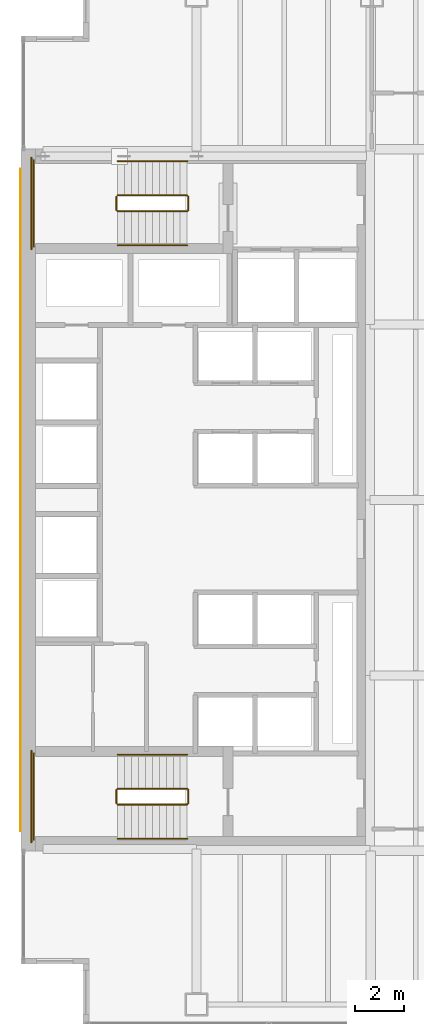
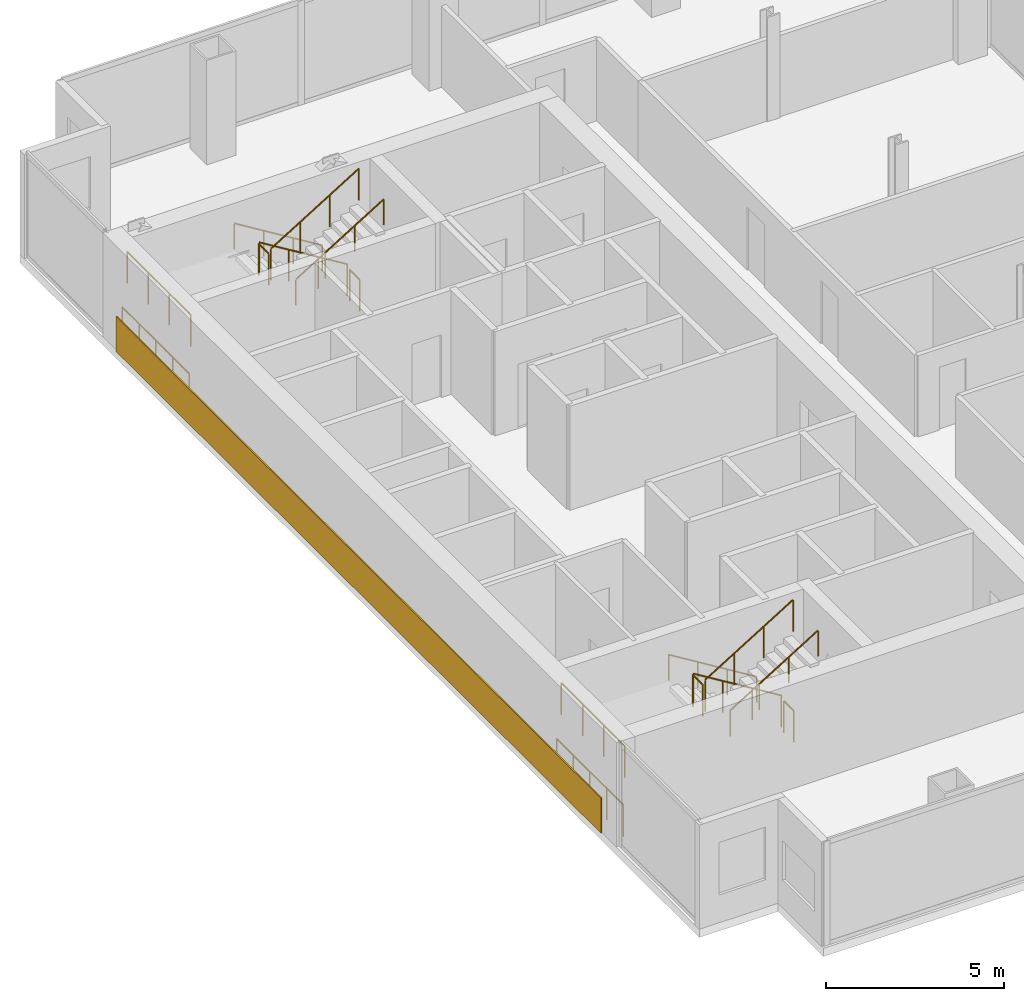
# One storey, part 23 of 23: 16 railings, 1 covering.
"""IFC4 building model written with IfcOpenShell, lengths in metres."""

import ifcopenshell
import ifcopenshell.guid

model = None  # the IFC model being written
_history = None  # IfcOwnerHistory: only IFC2X3 demands one
_inside = {}  # id of a spatial element -> (the spatial element, [elements in it])
_under = {}  # id of a project, library or spatial element -> (it, [spatial elements below it])
_declared = {}  # id of a project -> (the project, [libraries it declares])
_typed = {}  # id of a type object -> (the type object, [elements of that type])
_made_of = {}  # id of a material, layer set ... -> (it, [elements and type objects made of it])


def new_model(schema):
    """Start an empty IFC model of exactly this schema.

    Asked for "IFC4X3", IfcOpenShell would pick the latest addendum, in which some entities
    have other attributes; the version numbers below select the first issue.
    IFC2X3 requires an IfcOwnerHistory on every rooted entity: one is made here for all.
    """
    global model, _history
    if schema == "IFC4X3":
        model = ifcopenshell.file(schema_version=(4, 3, 0, 0))
    else:
        model = ifcopenshell.file(schema=schema)
    _inside.clear()
    _under.clear()
    _declared.clear()
    _typed.clear()
    _made_of.clear()
    _history = None
    if model.schema == "IFC2X3":
        org = make("IfcOrganization", Name="unknown")
        user = make(
            "IfcPersonAndOrganization",
            ThePerson=make("IfcPerson", FamilyName="unknown"),
            TheOrganization=org,
        )
        app = make(
            "IfcApplication",
            ApplicationDeveloper=org,
            Version="unknown",
            ApplicationFullName="unknown",
            ApplicationIdentifier="unknown",
        )
        _history = make(
            "IfcOwnerHistory",
            OwningUser=user,
            OwningApplication=app,
            ChangeAction="ADDED",
            CreationDate=0,
        )
    return model


def make(cls, **values):
    """One entity of the class cls with the attributes given. An attribute that is None is left unset."""
    return model.create_entity(
        cls, **{name: value for name, value in values.items() if value is not None}
    )


def rooted(cls, **values):
    """An entity with a GlobalId (a new one), such as an element, a storey or a relation."""
    return make(cls, GlobalId=ifcopenshell.guid.new(), OwnerHistory=_history, **values)


def si_unit(unit_type, name, prefix=None):
    """IfcSIUnit, for example si_unit("LENGTHUNIT", "METRE", prefix="MILLI")."""
    return make("IfcSIUnit", UnitType=unit_type, Prefix=prefix, Name=name)


def assignment(units):
    """IfcUnitAssignment: the units of a project."""
    return None if units is None else make("IfcUnitAssignment", Units=units)


def point(xyz):
    """IfcCartesianPoint."""
    return None if xyz is None else make("IfcCartesianPoint", Coordinates=xyz)


def direction(xyz):
    """IfcDirection."""
    return None if xyz is None else make("IfcDirection", DirectionRatios=xyz)


def frame(location, z_axis=None, x_axis=None):
    """IfcAxis2Placement3D, a coordinate frame: its origin and axes. An axis left out is left unset."""
    return make(
        "IfcAxis2Placement3D",
        Location=point(location),
        Axis=direction(z_axis),
        RefDirection=direction(x_axis),
    )


def frame_2d(location, x_axis=None):
    """IfcAxis2Placement2D, a coordinate frame in the plane: its origin and x axis."""
    return make(
        "IfcAxis2Placement2D", Location=point(location), RefDirection=direction(x_axis)
    )


def origin():
    """The frame at (0, 0, 0) with its axes left unset."""
    return frame((0.0, 0.0, 0.0))


def origin_2d():
    """The frame at (0, 0) in the plane with its x axis left unset."""
    return frame_2d((0.0, 0.0))


def place(relative_to, where):
    """IfcLocalPlacement: puts the frame where relative to a parent placement (None: the world)."""
    return make(
        "IfcLocalPlacement", PlacementRelTo=relative_to, RelativePlacement=where
    )


def context(
    kind, dimensions, precision=None, world=None, true_north=None, identifier=None
):
    """IfcGeometricRepresentationContext, for example the 3D "Model" context."""
    return make(
        "IfcGeometricRepresentationContext",
        ContextIdentifier=identifier,
        ContextType=kind,
        CoordinateSpaceDimension=dimensions,
        Precision=precision,
        WorldCoordinateSystem=world,
        TrueNorth=true_north,
    )


def subcontext(parent, identifier, kind, view, scale=None):
    """IfcGeometricRepresentationSubContext, for example "Body" below "Model"."""
    return make(
        "IfcGeometricRepresentationSubContext",
        ContextIdentifier=identifier,
        ContextType=kind,
        ParentContext=parent,
        TargetScale=scale,
        TargetView=view,
    )


def project(units=None, contexts=None):
    """IfcProject with its units and contexts."""
    return rooted(
        "IfcProject",
        Name="project",
        RepresentationContexts=contexts,
        UnitsInContext=assignment(units),
    )


def spatial(cls, under=None, at=None, **own):
    """A site, building, storey or space (cls), placed at a placement, below another one or the project."""
    s = rooted(cls, ObjectPlacement=at, **own)
    if under is not None:
        _under.setdefault(under.id(), (under, []))[1].append(s)
    return s


def polyline(points):
    """IfcPolyline through the points."""
    return make("IfcPolyline", Points=[point(p) for p in points])


def profile(cls, at=None, kind="AREA", **sizes):
    """A parametric profile (cls). Its sizes go by their IFC names, for example OverallWidth=200.0."""
    return make(cls, ProfileType=kind, Position=at, **sizes)


def circle(**sizes):
    """IfcCircleProfileDef."""
    return profile("IfcCircleProfileDef", **sizes)


def outline(outer, holes=None, kind="AREA"):
    """IfcArbitraryClosedProfileDef: a profile drawn as a closed curve; with holes, ...WithVoids."""
    if holes is None:
        return make("IfcArbitraryClosedProfileDef", ProfileType=kind, OuterCurve=outer)
    return make(
        "IfcArbitraryProfileDefWithVoids",
        ProfileType=kind,
        OuterCurve=outer,
        InnerCurves=holes,
    )


def extrude(swept, where, along, depth):
    """IfcExtrudedAreaSolid: the profile swept, set in the frame where, extruded along a direction by depth."""
    return make(
        "IfcExtrudedAreaSolid",
        SweptArea=swept,
        Position=where,
        ExtrudedDirection=direction(along),
        Depth=depth,
    )


def shape(context_of_items, identifier, shape_type, items):
    """IfcShapeRepresentation: the items that make up one representation, for example the "Body"."""
    return make(
        "IfcShapeRepresentation",
        ContextOfItems=context_of_items,
        RepresentationIdentifier=identifier,
        RepresentationType=shape_type,
        Items=items,
    )


def material(Name=None, Category=None):
    """IfcMaterial."""
    return make("IfcMaterial", Name=Name, Category=Category)


def layer(
    of_material, thickness, ventilated=None, Name=None, Category=None, Priority=None
):
    """IfcMaterialLayer: one layer of a wall or slab, of a material (None: an air gap)."""
    return make(
        "IfcMaterialLayer",
        Material=of_material,
        LayerThickness=thickness,
        IsVentilated=ventilated,
        Name=Name,
        Category=Category,
        Priority=Priority,
    )


def layer_set(layers, Name=None):
    """IfcMaterialLayerSet."""
    return make("IfcMaterialLayerSet", MaterialLayers=layers, LayerSetName=Name)


def made_of(thing, what):
    """Note that an element or type object is made of a material, layer set ...; save() writes the relation."""
    if what is not None:
        _made_of.setdefault(what.id(), (what, []))[1].append(thing)
    return thing


def type_object(cls, material=None, **own):
    """A type object (cls), such as IfcWallType, which elements share."""
    return made_of(rooted(cls, **own), material)


def element(
    cls,
    number,
    at=None,
    inside=None,
    cuts=None,
    type_object=None,
    material=None,
    context=None,
    identifier="Body",
    shape_type=None,
    held_by="IfcProductDefinitionShape",
    body=None,
    shapes=None,
    **own,
):
    """One element of the class cls, such as IfcWall. Its Tag is "e" and its number.

    at: its placement. inside: the storey or other place that contains it. cuts: it is an
    opening in that element (IfcRelVoidsElement). A single representation is given by context,
    identifier, shape_type and body (its items); several are given by shapes. held_by: the class
    of the entity that holds the representations. save() writes the other relations.
    """
    e = rooted(cls, Tag="e%d" % number, ObjectPlacement=at, **own)
    if body is not None:
        shapes = [shape(context, identifier, shape_type, body)]
    if shapes is not None:
        e.Representation = make(held_by, Representations=shapes)
    if inside is not None:
        _inside.setdefault(inside.id(), (inside, []))[1].append(e)
    if cuts is not None:
        rooted(
            "IfcRelVoidsElement", RelatingBuildingElement=cuts, RelatedOpeningElement=e
        )
    if type_object is not None:
        _typed.setdefault(type_object.id(), (type_object, []))[1].append(e)
    return made_of(e, material)


def aggregate(whole, parts):
    """IfcRelAggregates: a whole, such as a stair, and the parts it consists of."""
    return rooted("IfcRelAggregates", RelatingObject=whole, RelatedObjects=parts)


def save(model, path):
    """Write the relations noted so far, then the file.

    IfcRelAggregates (storeys below a building ...), IfcRelContainedInSpatialStructure (elements
    in a storey), IfcRelDefinesByType, IfcRelAssociatesMaterial and IfcRelDeclares: one each for
    every whole, place, type object, material and project.
    """
    for whole, parts in _under.values():
        aggregate(whole, parts)
    for where, things in _inside.values():
        rooted(
            "IfcRelContainedInSpatialStructure",
            RelatedElements=things,
            RelatingStructure=where,
        )
    for kind, things in _typed.values():
        rooted("IfcRelDefinesByType", RelatedObjects=things, RelatingType=kind)
    for what, things in _made_of.values():
        rooted("IfcRelAssociatesMaterial", RelatedObjects=things, RelatingMaterial=what)
    for by, libraries in _declared.values():
        rooted("IfcRelDeclares", RelatingContext=by, RelatedDefinitions=libraries)
    model.write(path)


model = new_model("IFC4")

# Units and contexts
model_context = context("Model", 3, precision=1e-05, world=origin(), true_north=direction((0.0, 1.0)))
body_context = subcontext(model_context, "Body", "Model", "MODEL_VIEW")
ifc_project = project(units=[si_unit("LENGTHUNIT", "METRE"), si_unit("AREAUNIT", "SQUARE_METRE"), si_unit("VOLUMEUNIT", "CUBIC_METRE"), si_unit("PLANEANGLEUNIT", "RADIAN"), si_unit("MASSUNIT", "GRAM", prefix="KILO")], contexts=[model_context])

# Site, building, storey
site_placement = place(None, origin())
site = spatial("IfcSite", under=ifc_project, at=site_placement, CompositionType="ELEMENT")
building_placement = place(site_placement, origin())
building = spatial("IfcBuilding", under=site, at=building_placement, Name="Cobrela Telecom Tower", CompositionType="ELEMENT")
storey_placement = place(building_placement, frame((0.0, 0.0, 81.199951171875)))
storey = spatial("IfcBuildingStorey", under=building, at=storey_placement, Name="L20", CompositionType="ELEMENT", Elevation=81.199951171875)

# Covering
ifc_material_1 = material(Name="Bogota Terracotta Architectural Stone", Category="masonry")
ifc_layer = layer(ifc_material_1, 0.0400390625)
ifc_layer_set = layer_set([ifc_layer], Name="Bogota Terracotta Architectural Stone")
covering_type = type_object("IfcCoveringType", Name="COV-CLAD-TERRA", PredefinedType="CLADDING", material=ifc_layer_set)
covering_placement = place(storey_placement, origin())
element("IfcCovering", 1, at=covering_placement, inside=storey, type_object=covering_type, Name="L20 West Core Terracotta Spandrel Cladding Band", PredefinedType="CLADDING", context=body_context, shape_type="SweptSolid", body=[
    extrude(outline(polyline([(-0.0400390625, 8.0), (0.0, 8.0), (0.0, 35.199951171875), (-0.0400390625, 35.199951171875), (-0.0400390625, 8.0)])), origin(), (0.0, 0.0, 1.0), 1.199951171875),
])

# Railings
ifc_material_2 = material(Name="Steel ASTM A36", Category="steel")
railing_type_1 = type_object("IfcRailingType", Name="RAIL-GUARD-1100", PredefinedType="GUARDRAIL", material=ifc_material_2)
railing_1_placement = place(storey_placement, frame((6.820068359375, 34.10009765625, 0.175048828125)))
element("IfcRailing", 2, at=railing_1_placement, inside=storey, type_object=railing_type_1, Name="L20 ST1 stair guard 1", PredefinedType="GUARDRAIL", context=body_context, shape_type="SweptSolid", body=[
    extrude(circle(Radius=0.02392578125, at=origin_2d()), frame((0.0, 0.0, 1.076171875), z_axis=(-0.852179220489, 0.0, 0.52325001306), x_axis=(0.0, -1.0, 0.0)), (0.0, 0.0, 1.0), 3.344482421875),
    extrude(circle(Radius=0.02099609375, at=origin_2d()), origin(), (0.0, 0.0, 1.0), 1.052001953125),
    extrude(circle(Radius=0.02099609375, at=origin_2d()), frame((-0.949951171875, 0.0, 0.583251953125)), (0.0, 0.0, 1.0), 1.052001953125),
    extrude(circle(Radius=0.02099609375, at=origin_2d()), frame((-1.900146484375, 0.0, 1.166748046875)), (0.0, 0.0, 1.0), 1.052001953125),
    extrude(circle(Radius=0.02099609375, at=origin_2d()), frame((-2.85009765625, 0.0, 1.75)), (0.0, 0.0, 1.0), 1.052001953125),
])
railing_2_placement = place(storey_placement, frame((3.919921875, 34.050048828125, 1.925048828125)))
element("IfcRailing", 3, at=railing_2_placement, inside=storey, type_object=railing_type_1, Name="L20 ST1 stair guard 2", PredefinedType="GUARDRAIL", context=body_context, shape_type="SweptSolid", body=[
    extrude(circle(Radius=0.02392578125, at=origin_2d()), frame((0.0, 0.0, 1.076171875), z_axis=(0.0, -1.0, 0.0), x_axis=(1.0, 0.0, 0.0)), (0.0, 0.0, 1.0), 0.550048828125),
    extrude(circle(Radius=0.02099609375, at=origin_2d()), origin(), (0.0, 0.0, 1.0), 1.052001953125),
    extrude(circle(Radius=0.02099609375, at=origin_2d()), frame((0.0, -0.550048828125, 0.0)), (0.0, 0.0, 1.0), 1.052001953125),
])
railing_3_placement = place(storey_placement, frame((0.530029296875, 35.550048828125, 1.925048828125)))
element("IfcRailing", 4, at=railing_3_placement, inside=storey, type_object=railing_type_1, Name="L20 ST1 stair guard 3", PredefinedType="GUARDRAIL", context=body_context, shape_type="SweptSolid", body=[
    extrude(circle(Radius=0.02392578125, at=origin_2d()), frame((0.0, 0.0, 1.076171875), z_axis=(0.0, -1.0, 0.0), x_axis=(1.0, 0.0, 0.0)), (0.0, 0.0, 1.0), 3.550048828125),
    extrude(circle(Radius=0.02099609375, at=origin_2d()), origin(), (0.0, 0.0, 1.0), 1.052001953125),
    extrude(circle(Radius=0.02099609375, at=origin_2d()), frame((0.0, -1.183349609375, 0.0)), (0.0, 0.0, 1.0), 1.052001953125),
    extrude(circle(Radius=0.02099609375, at=origin_2d()), frame((0.0, -2.36669921875, 0.0)), (0.0, 0.0, 1.0), 1.052001953125),
    extrude(circle(Radius=0.02099609375, at=origin_2d()), frame((0.0, -3.550048828125, 0.0)), (0.0, 0.0, 1.0), 1.052001953125),
])
railing_4_placement = place(storey_placement, frame((3.969970703125, 33.449951171875, 2.10009765625)))
element("IfcRailing", 5, at=railing_4_placement, inside=storey, type_object=railing_type_1, Name="L20 ST1 stair guard 4", PredefinedType="GUARDRAIL", context=body_context, shape_type="SweptSolid", body=[
    extrude(circle(Radius=0.02392578125, at=origin_2d()), frame((0.0, 0.0, 1.076171875), z_axis=(0.852179220489, 0.0, 0.52325001306), x_axis=(0.0, 1.0, 0.0)), (0.0, 0.0, 1.0), 3.344482421875),
    extrude(circle(Radius=0.02099609375, at=origin_2d()), origin(), (0.0, 0.0, 1.0), 1.052001953125),
    extrude(circle(Radius=0.02099609375, at=origin_2d()), frame((0.949951171875, 0.0, 0.583251953125)), (0.0, 0.0, 1.0), 1.052001953125),
    extrude(circle(Radius=0.02099609375, at=origin_2d()), frame((1.900146484375, 0.0, 1.166748046875)), (0.0, 0.0, 1.0), 1.052001953125),
    extrude(circle(Radius=0.02099609375, at=origin_2d()), frame((2.85009765625, 0.0, 1.75)), (0.0, 0.0, 1.0), 1.052001953125),
])
railing_5_placement = place(storey_placement, frame((6.8701171875, 34.050048828125, 0.0)))
element("IfcRailing", 6, at=railing_5_placement, inside=storey, type_object=railing_type_1, Name="L20 ST1 stair guard 5", PredefinedType="GUARDRAIL", context=body_context, shape_type="SweptSolid", body=[
    extrude(circle(Radius=0.02392578125, at=origin_2d()), frame((0.0, 0.0, 1.076171875), z_axis=(0.0, -1.0, 0.0), x_axis=(1.0, 0.0, 0.0)), (0.0, 0.0, 1.0), 0.550048828125),
    extrude(circle(Radius=0.02099609375, at=origin_2d()), origin(), (0.0, 0.0, 1.0), 1.052001953125),
    extrude(circle(Radius=0.02099609375, at=origin_2d()), frame((0.0, -0.550048828125, 0.0)), (0.0, 0.0, 1.0), 1.052001953125),
])
railing_6_placement = place(storey_placement, frame((0.429931640625, 35.64990234375, 0.0)))
element("IfcRailing", 7, at=railing_6_placement, inside=storey, type_object=railing_type_1, Name="L20 ST1 stair guard 6", PredefinedType="GUARDRAIL", context=body_context, shape_type="SweptSolid", body=[
    extrude(circle(Radius=0.02392578125, at=origin_2d()), frame((0.0, 0.0, 1.076171875), z_axis=(0.0, -1.0, 0.0), x_axis=(1.0, 0.0, 0.0)), (0.0, 0.0, 1.0), 3.75),
    extrude(circle(Radius=0.02099609375, at=origin_2d()), origin(), (0.0, 0.0, 1.0), 1.052001953125),
    extrude(circle(Radius=0.02099609375, at=origin_2d()), frame((0.0, -0.9375, 0.0)), (0.0, 0.0, 1.0), 1.052001953125),
    extrude(circle(Radius=0.02099609375, at=origin_2d()), frame((0.0, -1.875, 0.0)), (0.0, 0.0, 1.0), 1.052001953125),
    extrude(circle(Radius=0.02099609375, at=origin_2d()), frame((0.0, -2.8125, 0.0)), (0.0, 0.0, 1.0), 1.052001953125),
    extrude(circle(Radius=0.02099609375, at=origin_2d()), frame((0.0, -3.75, 0.0)), (0.0, 0.0, 1.0), 1.052001953125),
])
railing_7_placement = place(storey_placement, frame((6.820068359375, 9.75, 0.175048828125)))
element("IfcRailing", 8, at=railing_7_placement, inside=storey, type_object=railing_type_1, Name="L20 ST2 stair guard 1", PredefinedType="GUARDRAIL", context=body_context, shape_type="SweptSolid", body=[
    extrude(circle(Radius=0.02392578125, at=origin_2d()), frame((0.0, 0.0, 1.076171875), z_axis=(-0.852179220489, 0.0, 0.52325001306), x_axis=(0.0, -1.0, 0.0)), (0.0, 0.0, 1.0), 3.344482421875),
    extrude(circle(Radius=0.02099609375, at=origin_2d()), origin(), (0.0, 0.0, 1.0), 1.052001953125),
    extrude(circle(Radius=0.02099609375, at=origin_2d()), frame((-0.949951171875, 0.0, 0.583251953125)), (0.0, 0.0, 1.0), 1.052001953125),
    extrude(circle(Radius=0.02099609375, at=origin_2d()), frame((-1.900146484375, 0.0, 1.166748046875)), (0.0, 0.0, 1.0), 1.052001953125),
    extrude(circle(Radius=0.02099609375, at=origin_2d()), frame((-2.85009765625, 0.0, 1.75)), (0.0, 0.0, 1.0), 1.052001953125),
])
railing_8_placement = place(storey_placement, frame((3.919921875, 9.699951171875, 1.925048828125)))
element("IfcRailing", 9, at=railing_8_placement, inside=storey, type_object=railing_type_1, Name="L20 ST2 stair guard 2", PredefinedType="GUARDRAIL", context=body_context, shape_type="SweptSolid", body=[
    extrude(circle(Radius=0.02392578125, at=origin_2d()), frame((0.0, 0.0, 1.076171875), z_axis=(0.0, -1.0, 0.0), x_axis=(1.0, 0.0, 0.0)), (0.0, 0.0, 1.0), 0.550048828125),
    extrude(circle(Radius=0.02099609375, at=origin_2d()), origin(), (0.0, 0.0, 1.0), 1.052001953125),
    extrude(circle(Radius=0.02099609375, at=origin_2d()), frame((0.0, -0.550048828125, 0.0)), (0.0, 0.0, 1.0), 1.052001953125),
])
railing_9_placement = place(storey_placement, frame((0.530029296875, 11.199951171875, 1.925048828125)))
element("IfcRailing", 10, at=railing_9_placement, inside=storey, type_object=railing_type_1, Name="L20 ST2 stair guard 3", PredefinedType="GUARDRAIL", context=body_context, shape_type="SweptSolid", body=[
    extrude(circle(Radius=0.02392578125, at=origin_2d()), frame((0.0, 0.0, 1.076171875), z_axis=(0.0, -1.0, 0.0), x_axis=(1.0, 0.0, 0.0)), (0.0, 0.0, 1.0), 3.550048828125),
    extrude(circle(Radius=0.02099609375, at=origin_2d()), origin(), (0.0, 0.0, 1.0), 1.052001953125),
    extrude(circle(Radius=0.02099609375, at=origin_2d()), frame((0.0, -1.183349609375, 0.0)), (0.0, 0.0, 1.0), 1.052001953125),
    extrude(circle(Radius=0.02099609375, at=origin_2d()), frame((0.0, -2.36669921875, 0.0)), (0.0, 0.0, 1.0), 1.052001953125),
    extrude(circle(Radius=0.02099609375, at=origin_2d()), frame((0.0, -3.550048828125, 0.0)), (0.0, 0.0, 1.0), 1.052001953125),
])
railing_10_placement = place(storey_placement, frame((3.969970703125, 9.10009765625, 2.10009765625)))
element("IfcRailing", 11, at=railing_10_placement, inside=storey, type_object=railing_type_1, Name="L20 ST2 stair guard 4", PredefinedType="GUARDRAIL", context=body_context, shape_type="SweptSolid", body=[
    extrude(circle(Radius=0.02392578125, at=origin_2d()), frame((0.0, 0.0, 1.076171875), z_axis=(0.852179220489, 0.0, 0.52325001306), x_axis=(0.0, 1.0, 0.0)), (0.0, 0.0, 1.0), 3.344482421875),
    extrude(circle(Radius=0.02099609375, at=origin_2d()), origin(), (0.0, 0.0, 1.0), 1.052001953125),
    extrude(circle(Radius=0.02099609375, at=origin_2d()), frame((0.949951171875, 0.0, 0.583251953125)), (0.0, 0.0, 1.0), 1.052001953125),
    extrude(circle(Radius=0.02099609375, at=origin_2d()), frame((1.900146484375, 0.0, 1.166748046875)), (0.0, 0.0, 1.0), 1.052001953125),
    extrude(circle(Radius=0.02099609375, at=origin_2d()), frame((2.85009765625, 0.0, 1.75)), (0.0, 0.0, 1.0), 1.052001953125),
])
railing_11_placement = place(storey_placement, frame((6.8701171875, 9.699951171875, 0.0)))
element("IfcRailing", 12, at=railing_11_placement, inside=storey, type_object=railing_type_1, Name="L20 ST2 stair guard 5", PredefinedType="GUARDRAIL", context=body_context, shape_type="SweptSolid", body=[
    extrude(circle(Radius=0.02392578125, at=origin_2d()), frame((0.0, 0.0, 1.076171875), z_axis=(0.0, -1.0, 0.0), x_axis=(1.0, 0.0, 0.0)), (0.0, 0.0, 1.0), 0.550048828125),
    extrude(circle(Radius=0.02099609375, at=origin_2d()), origin(), (0.0, 0.0, 1.0), 1.052001953125),
    extrude(circle(Radius=0.02099609375, at=origin_2d()), frame((0.0, -0.550048828125, 0.0)), (0.0, 0.0, 1.0), 1.052001953125),
])
railing_12_placement = place(storey_placement, frame((0.429931640625, 11.300048828125, 0.0)))
element("IfcRailing", 13, at=railing_12_placement, inside=storey, type_object=railing_type_1, Name="L20 ST2 stair guard 6", PredefinedType="GUARDRAIL", context=body_context, shape_type="SweptSolid", body=[
    extrude(circle(Radius=0.02392578125, at=origin_2d()), frame((0.0, 0.0, 1.076171875), z_axis=(0.0, -1.0, 0.0), x_axis=(1.0, 0.0, 0.0)), (0.0, 0.0, 1.0), 3.75),
    extrude(circle(Radius=0.02099609375, at=origin_2d()), origin(), (0.0, 0.0, 1.0), 1.052001953125),
    extrude(circle(Radius=0.02099609375, at=origin_2d()), frame((0.0, -0.9375, 0.0)), (0.0, 0.0, 1.0), 1.052001953125),
    extrude(circle(Radius=0.02099609375, at=origin_2d()), frame((0.0, -1.875, 0.0)), (0.0, 0.0, 1.0), 1.052001953125),
    extrude(circle(Radius=0.02099609375, at=origin_2d()), frame((0.0, -2.8125, 0.0)), (0.0, 0.0, 1.0), 1.052001953125),
    extrude(circle(Radius=0.02099609375, at=origin_2d()), frame((0.0, -3.75, 0.0)), (0.0, 0.0, 1.0), 1.052001953125),
])
railing_type_2 = type_object("IfcRailingType", Name="RAIL-HAND-920", PredefinedType="HANDRAIL", material=ifc_material_2)
railing_13_placement = place(storey_placement, frame((6.820068359375, 35.5, 0.175048828125)))
element("IfcRailing", 14, at=railing_13_placement, inside=storey, type_object=railing_type_2, Name="L20 ST1 stair handrail 1", PredefinedType="HANDRAIL", context=body_context, shape_type="SweptSolid", body=[
    extrude(circle(Radius=0.02392578125, at=origin_2d()), frame((0.0, 0.0, 0.8759765625), z_axis=(-0.852179220489, 0.0, 0.52325001306), x_axis=(0.0, -1.0, 0.0)), (0.0, 0.0, 1.0), 3.344482421875),
    extrude(circle(Radius=0.02099609375, at=origin_2d()), origin(), (0.0, 0.0, 1.0), 0.851806640625),
    extrude(circle(Radius=0.02099609375, at=origin_2d()), frame((-0.949951171875, 0.0, 0.583251953125)), (0.0, 0.0, 1.0), 0.851806640625),
    extrude(circle(Radius=0.02099609375, at=origin_2d()), frame((-1.900146484375, 0.0, 1.166748046875)), (0.0, 0.0, 1.0), 0.851806640625),
    extrude(circle(Radius=0.02099609375, at=origin_2d()), frame((-2.85009765625, 0.0, 1.75)), (0.0, 0.0, 1.0), 0.851806640625),
])
railing_14_placement = place(storey_placement, frame((3.969970703125, 32.050048828125, 2.10009765625)))
element("IfcRailing", 15, at=railing_14_placement, inside=storey, type_object=railing_type_2, Name="L20 ST1 stair handrail 2", PredefinedType="HANDRAIL", context=body_context, shape_type="SweptSolid", body=[
    extrude(circle(Radius=0.02392578125, at=origin_2d()), frame((0.0, 0.0, 0.8759765625), z_axis=(0.852179220489, 0.0, 0.52325001306), x_axis=(0.0, 1.0, 0.0)), (0.0, 0.0, 1.0), 3.344482421875),
    extrude(circle(Radius=0.02099609375, at=origin_2d()), origin(), (0.0, 0.0, 1.0), 0.851806640625),
    extrude(circle(Radius=0.02099609375, at=origin_2d()), frame((0.949951171875, 0.0, 0.583251953125)), (0.0, 0.0, 1.0), 0.851806640625),
    extrude(circle(Radius=0.02099609375, at=origin_2d()), frame((1.900146484375, 0.0, 1.166748046875)), (0.0, 0.0, 1.0), 0.851806640625),
    extrude(circle(Radius=0.02099609375, at=origin_2d()), frame((2.85009765625, 0.0, 1.75)), (0.0, 0.0, 1.0), 0.851806640625),
])
railing_15_placement = place(storey_placement, frame((6.820068359375, 11.14990234375, 0.175048828125)))
element("IfcRailing", 16, at=railing_15_placement, inside=storey, type_object=railing_type_2, Name="L20 ST2 stair handrail 1", PredefinedType="HANDRAIL", context=body_context, shape_type="SweptSolid", body=[
    extrude(circle(Radius=0.02392578125, at=origin_2d()), frame((0.0, 0.0, 0.8759765625), z_axis=(-0.852179220489, 0.0, 0.52325001306), x_axis=(0.0, -1.0, 0.0)), (0.0, 0.0, 1.0), 3.344482421875),
    extrude(circle(Radius=0.02099609375, at=origin_2d()), origin(), (0.0, 0.0, 1.0), 0.851806640625),
    extrude(circle(Radius=0.02099609375, at=origin_2d()), frame((-0.949951171875, 0.0, 0.583251953125)), (0.0, 0.0, 1.0), 0.851806640625),
    extrude(circle(Radius=0.02099609375, at=origin_2d()), frame((-1.900146484375, 0.0, 1.166748046875)), (0.0, 0.0, 1.0), 0.851806640625),
    extrude(circle(Radius=0.02099609375, at=origin_2d()), frame((-2.85009765625, 0.0, 1.75)), (0.0, 0.0, 1.0), 0.851806640625),
])
railing_16_placement = place(storey_placement, frame((3.969970703125, 7.699951171875, 2.10009765625)))
element("IfcRailing", 17, at=railing_16_placement, inside=storey, type_object=railing_type_2, Name="L20 ST2 stair handrail 2", PredefinedType="HANDRAIL", context=body_context, shape_type="SweptSolid", body=[
    extrude(circle(Radius=0.02392578125, at=origin_2d()), frame((0.0, 0.0, 0.8759765625), z_axis=(0.852179220489, 0.0, 0.52325001306), x_axis=(0.0, 1.0, 0.0)), (0.0, 0.0, 1.0), 3.344482421875),
    extrude(circle(Radius=0.02099609375, at=origin_2d()), origin(), (0.0, 0.0, 1.0), 0.851806640625),
    extrude(circle(Radius=0.02099609375, at=origin_2d()), frame((0.949951171875, 0.0, 0.583251953125)), (0.0, 0.0, 1.0), 0.851806640625),
    extrude(circle(Radius=0.02099609375, at=origin_2d()), frame((1.900146484375, 0.0, 1.166748046875)), (0.0, 0.0, 1.0), 0.851806640625),
    extrude(circle(Radius=0.02099609375, at=origin_2d()), frame((2.85009765625, 0.0, 1.75)), (0.0, 0.0, 1.0), 0.851806640625),
])

save(model, "model.ifc")
